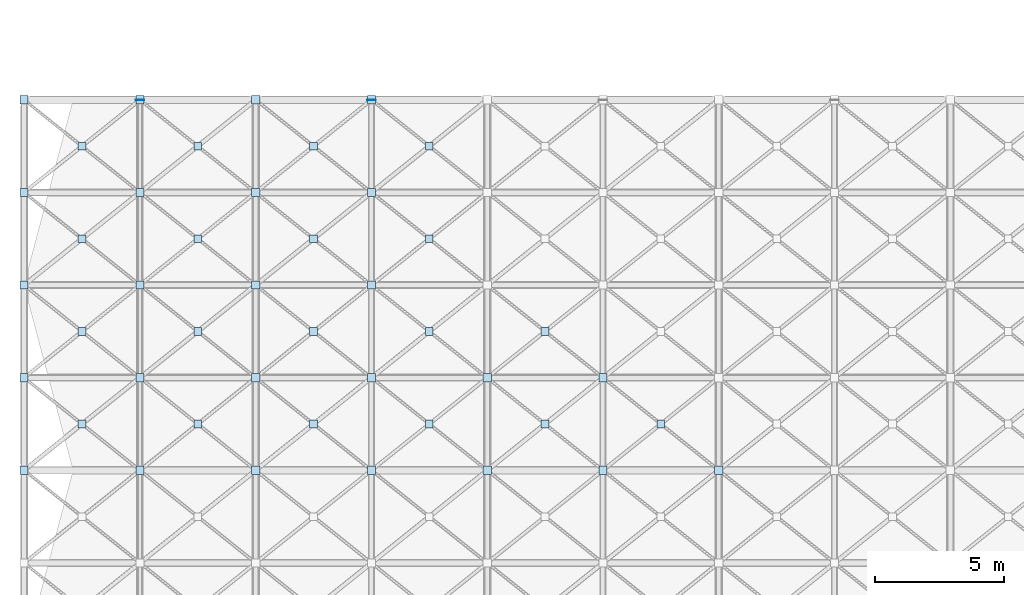
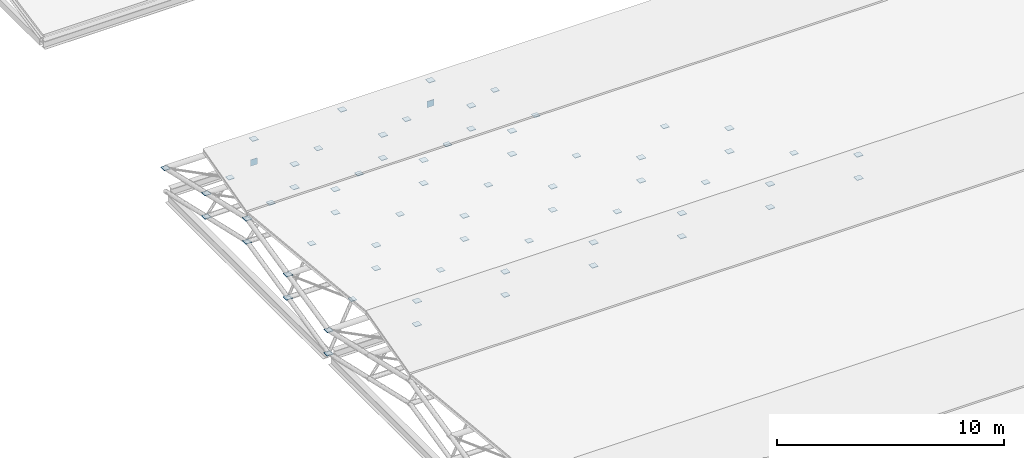
# One storey, part 82 of 110: 67 plates.
"""IFC4 building model written with IfcOpenShell, lengths in metres."""

from ifc_helpers import new_model, si_unit, direction, frame, origin, origin_2d, place, context, subcontext, project, spatial, rectangle, extrude, material, layer, layer_set, type_object, element, save


model = new_model("IFC4")

# Units and contexts
model_context = context("Model", 3, precision=1e-05, world=origin(), true_north=direction((0.0, 1.0)))
body_context = subcontext(model_context, "Body", "Model", "MODEL_VIEW")
ifc_project = project(units=[si_unit("LENGTHUNIT", "METRE"), si_unit("AREAUNIT", "SQUARE_METRE"), si_unit("VOLUMEUNIT", "CUBIC_METRE"), si_unit("PLANEANGLEUNIT", "RADIAN"), si_unit("MASSUNIT", "GRAM", prefix="KILO")], contexts=[model_context])

# Site, building, storey
site_placement = place(None, origin())
site = spatial("IfcSite", under=ifc_project, at=site_placement, CompositionType="ELEMENT")
building_placement = place(site_placement, origin())
building = spatial("IfcBuilding", under=site, at=building_placement, Name="Tamarisk Ironworks Central Station", CompositionType="ELEMENT")
storey_placement = place(building_placement, frame((0.0, 0.0, 17.39990234375)))
storey = spatial("IfcBuildingStorey", under=building, at=storey_placement, Name="L03", CompositionType="ELEMENT", Elevation=17.39990234375)

# Plates
ifc_material_1 = material(Name="Painted structural steel S355J2", Category="steel")
ifc_layer_1 = layer(ifc_material_1, 0.01611328125)
ifc_layer_set_1 = layer_set([ifc_layer_1], Name="Painted structural steel S355J2")
plate_type_1 = type_object("IfcPlateType", Name="PL-EC16", PredefinedType="SHEET", material=ifc_layer_set_1)
for number, where, z_axis, x_axis, name in (
    (1, (4.5, 79.199951171875, -1.89013671875), (0.0, 0.0, 1.0), (1.0, 0.0, 0.0), "Hollow section welded end-cap plate 34"),
    (2, (13.5, 79.199951171875, -1.89013671875), (0.0, 0.0, 1.0), (1.0, 0.0, 0.0), "Hollow section welded end-cap plate 35"),
):
    element("IfcPlate", number, at=place(storey_placement, frame(where, z_axis=z_axis, x_axis=x_axis)), inside=storey, type_object=plate_type_1, Name=name, PredefinedType="SHEET", context=body_context, shape_type="SweptSolid", body=[
        extrude(rectangle(XDim=0.340087890625, YDim=0.02392578125, at=origin_2d()), origin(), (0.0, 0.0, 1.0), 0.340087890625),
    ])
ifc_material_2 = material(Name="Structural steel S355J2H", Category="steel")
ifc_layer_2 = layer(ifc_material_2, 0.02587890625)
ifc_layer_set_2 = layer_set([ifc_layer_2], Name="Structural steel S355J2H")
plate_type_2 = type_object("IfcPlateType", Name="PL-ND26", PredefinedType="SHEET", material=ifc_layer_set_2)
for number, where, z_axis, x_axis, name in (
    (3, (0.0, 64.800048828125, -0.48291015625), (0.0, 0.0, 1.0), (1.0, 0.0, 0.0), "Space-frame collector node plate 0270"),
    (4, (4.5, 64.800048828125, -0.48291015625), (0.0, 0.0, 1.0), (1.0, 0.0, 0.0), "Space-frame collector node plate 0271"),
    (5, (9.0, 64.800048828125, -0.48291015625), (0.0, 0.0, 1.0), (1.0, 0.0, 0.0), "Space-frame collector node plate 0283"),
    (6, (13.5, 64.800048828125, -0.48291015625), (0.0, 0.0, 1.0), (1.0, 0.0, 0.0), "Space-frame collector node plate 0295"),
    (7, (18.0, 64.800048828125, -0.48291015625), (0.0, 0.0, 1.0), (1.0, 0.0, 0.0), "Space-frame collector node plate 0307"),
    (8, (22.5, 64.800048828125, -0.48291015625), (0.0, 0.0, 1.0), (1.0, 0.0, 0.0), "Space-frame collector node plate 0319"),
    (9, (27.0, 64.800048828125, -0.48291015625), (0.0, 0.0, 1.0), (1.0, 0.0, 0.0), "Space-frame collector node plate 0331"),
):
    element("IfcPlate", number, at=place(storey_placement, frame(where, z_axis=z_axis, x_axis=x_axis)), inside=storey, type_object=plate_type_2, Name=name, PredefinedType="SHEET", context=body_context, shape_type="SweptSolid", body=[
        extrude(rectangle(XDim=0.320068359375, YDim=0.320068359375, at=origin_2d()), origin(), (0.0, 0.0, 1.0), 0.02587890625),
    ])
plate_1_placement = place(storey_placement, frame((2.25, 66.60009765625, -0.6953125), z_axis=(0.0, 0.0, 1.0), x_axis=(1.0, 0.0, 0.0)))
element("IfcPlate", 10, at=plate_1_placement, inside=storey, type_object=plate_type_2, Name="Space-frame X-brace crossing gusset plate 0380", PredefinedType="SHEET", context=body_context, shape_type="SweptSolid", body=[
    extrude(rectangle(XDim=0.300048828125, YDim=0.300048828125, at=origin_2d()), origin(), (0.0, 0.0, 1.0), 0.02587890625),
])
for number, where, z_axis, x_axis, name in (
    (11, (0.0, 64.800048828125, -1.73291015625), (0.0, 0.0, 1.0), (1.0, 0.0, 0.0), "Space-frame collector node plate 0381"),
    (12, (4.5, 64.800048828125, -1.73291015625), (0.0, 0.0, 1.0), (1.0, 0.0, 0.0), "Space-frame collector node plate 0382"),
    (13, (0.0, 68.39990234375, 0.342041015625), (0.0, 0.0, 1.0), (1.0, 0.0, 0.0), "Space-frame collector node plate 0383"),
    (14, (4.5, 68.39990234375, 0.342041015625), (0.0, 0.0, 1.0), (1.0, 0.0, 0.0), "Space-frame collector node plate 0384"),
):
    element("IfcPlate", number, at=place(storey_placement, frame(where, z_axis=z_axis, x_axis=x_axis)), inside=storey, type_object=plate_type_2, Name=name, PredefinedType="SHEET", context=body_context, shape_type="SweptSolid", body=[
        extrude(rectangle(XDim=0.320068359375, YDim=0.320068359375, at=origin_2d()), origin(), (0.0, 0.0, 1.0), 0.02587890625),
    ])
plate_2_placement = place(storey_placement, frame((2.25, 70.199951171875, 0.129638671875), z_axis=(0.0, 0.0, 1.0), x_axis=(1.0, 0.0, 0.0)))
element("IfcPlate", 15, at=plate_2_placement, inside=storey, type_object=plate_type_2, Name="Space-frame X-brace crossing gusset plate 0385", PredefinedType="SHEET", context=body_context, shape_type="SweptSolid", body=[
    extrude(rectangle(XDim=0.300048828125, YDim=0.300048828125, at=origin_2d()), origin(), (0.0, 0.0, 1.0), 0.02587890625),
])
for number, where, z_axis, x_axis, name in (
    (16, (0.0, 68.39990234375, -0.907958984375), (0.0, 0.0, 1.0), (1.0, 0.0, 0.0), "Space-frame collector node plate 0386"),
    (17, (4.5, 68.39990234375, -0.907958984375), (0.0, 0.0, 1.0), (1.0, 0.0, 0.0), "Space-frame collector node plate 0387"),
    (18, (0.0, 72.0, 1.167236328125), (0.0, 0.0, 1.0), (1.0, 0.0, 0.0), "Space-frame collector node plate 0388"),
    (19, (4.5, 72.0, 1.167236328125), (0.0, 0.0, 1.0), (1.0, 0.0, 0.0), "Space-frame collector node plate 0389"),
):
    element("IfcPlate", number, at=place(storey_placement, frame(where, z_axis=z_axis, x_axis=x_axis)), inside=storey, type_object=plate_type_2, Name=name, PredefinedType="SHEET", context=body_context, shape_type="SweptSolid", body=[
        extrude(rectangle(XDim=0.320068359375, YDim=0.320068359375, at=origin_2d()), origin(), (0.0, 0.0, 1.0), 0.02587890625),
    ])
plate_3_placement = place(storey_placement, frame((2.25, 73.800048828125, 0.129638671875), z_axis=(0.0, 0.0, 1.0), x_axis=(1.0, 0.0, 0.0)))
element("IfcPlate", 20, at=plate_3_placement, inside=storey, type_object=plate_type_2, Name="Space-frame X-brace crossing gusset plate 0390", PredefinedType="SHEET", context=body_context, shape_type="SweptSolid", body=[
    extrude(rectangle(XDim=0.300048828125, YDim=0.300048828125, at=origin_2d()), origin(), (0.0, 0.0, 1.0), 0.02587890625),
])
for number, where, z_axis, x_axis, name in (
    (21, (0.0, 72.0, -0.082763671875), (0.0, 0.0, 1.0), (1.0, 0.0, 0.0), "Space-frame collector node plate 0391"),
    (22, (4.5, 72.0, -0.082763671875), (0.0, 0.0, 1.0), (1.0, 0.0, 0.0), "Space-frame collector node plate 0392"),
    (23, (0.0, 75.60009765625, 0.342041015625), (0.0, 0.0, 1.0), (1.0, 0.0, 0.0), "Space-frame collector node plate 0393"),
    (24, (4.5, 75.60009765625, 0.342041015625), (0.0, 0.0, 1.0), (1.0, 0.0, 0.0), "Space-frame collector node plate 0394"),
):
    element("IfcPlate", number, at=place(storey_placement, frame(where, z_axis=z_axis, x_axis=x_axis)), inside=storey, type_object=plate_type_2, Name=name, PredefinedType="SHEET", context=body_context, shape_type="SweptSolid", body=[
        extrude(rectangle(XDim=0.320068359375, YDim=0.320068359375, at=origin_2d()), origin(), (0.0, 0.0, 1.0), 0.02587890625),
    ])
plate_4_placement = place(storey_placement, frame((2.25, 77.39990234375, -0.6953125), z_axis=(0.0, 0.0, 1.0), x_axis=(1.0, 0.0, 0.0)))
element("IfcPlate", 25, at=plate_4_placement, inside=storey, type_object=plate_type_2, Name="Space-frame X-brace crossing gusset plate 0395", PredefinedType="SHEET", context=body_context, shape_type="SweptSolid", body=[
    extrude(rectangle(XDim=0.300048828125, YDim=0.300048828125, at=origin_2d()), origin(), (0.0, 0.0, 1.0), 0.02587890625),
])
for number, where, z_axis, x_axis, name in (
    (26, (0.0, 75.60009765625, -0.907958984375), (0.0, 0.0, 1.0), (1.0, 0.0, 0.0), "Space-frame collector node plate 0396"),
    (27, (4.5, 75.60009765625, -0.907958984375), (0.0, 0.0, 1.0), (1.0, 0.0, 0.0), "Space-frame collector node plate 0397"),
    (28, (0.0, 79.199951171875, -0.48291015625), (0.0, 0.0, 1.0), (1.0, 0.0, 0.0), "Space-frame collector node plate 0398"),
    (29, (4.5, 79.199951171875, -0.48291015625), (0.0, 0.0, 1.0), (1.0, 0.0, 0.0), "Space-frame collector node plate 0399"),
):
    element("IfcPlate", number, at=place(storey_placement, frame(where, z_axis=z_axis, x_axis=x_axis)), inside=storey, type_object=plate_type_2, Name=name, PredefinedType="SHEET", context=body_context, shape_type="SweptSolid", body=[
        extrude(rectangle(XDim=0.320068359375, YDim=0.320068359375, at=origin_2d()), origin(), (0.0, 0.0, 1.0), 0.02587890625),
    ])
plate_5_placement = place(storey_placement, frame((6.75, 66.60009765625, -0.6953125), z_axis=(0.0, 0.0, 1.0), x_axis=(1.0, 0.0, 0.0)))
element("IfcPlate", 30, at=plate_5_placement, inside=storey, type_object=plate_type_2, Name="Space-frame X-brace crossing gusset plate 0400", PredefinedType="SHEET", context=body_context, shape_type="SweptSolid", body=[
    extrude(rectangle(XDim=0.300048828125, YDim=0.300048828125, at=origin_2d()), origin(), (0.0, 0.0, 1.0), 0.02587890625),
])
for number, where, z_axis, x_axis, name in (
    (31, (9.0, 64.800048828125, -1.73291015625), (0.0, 0.0, 1.0), (1.0, 0.0, 0.0), "Space-frame collector node plate 0401"),
    (32, (9.0, 68.39990234375, 0.342041015625), (0.0, 0.0, 1.0), (1.0, 0.0, 0.0), "Space-frame collector node plate 0402"),
):
    element("IfcPlate", number, at=place(storey_placement, frame(where, z_axis=z_axis, x_axis=x_axis)), inside=storey, type_object=plate_type_2, Name=name, PredefinedType="SHEET", context=body_context, shape_type="SweptSolid", body=[
        extrude(rectangle(XDim=0.320068359375, YDim=0.320068359375, at=origin_2d()), origin(), (0.0, 0.0, 1.0), 0.02587890625),
    ])
plate_6_placement = place(storey_placement, frame((6.75, 70.199951171875, 0.129638671875), z_axis=(0.0, 0.0, 1.0), x_axis=(1.0, 0.0, 0.0)))
element("IfcPlate", 33, at=plate_6_placement, inside=storey, type_object=plate_type_2, Name="Space-frame X-brace crossing gusset plate 0403", PredefinedType="SHEET", context=body_context, shape_type="SweptSolid", body=[
    extrude(rectangle(XDim=0.300048828125, YDim=0.300048828125, at=origin_2d()), origin(), (0.0, 0.0, 1.0), 0.02587890625),
])
for number, where, z_axis, x_axis, name in (
    (34, (9.0, 68.39990234375, -0.907958984375), (0.0, 0.0, 1.0), (1.0, 0.0, 0.0), "Space-frame collector node plate 0404"),
    (35, (9.0, 72.0, 1.167236328125), (0.0, 0.0, 1.0), (1.0, 0.0, 0.0), "Space-frame collector node plate 0405"),
):
    element("IfcPlate", number, at=place(storey_placement, frame(where, z_axis=z_axis, x_axis=x_axis)), inside=storey, type_object=plate_type_2, Name=name, PredefinedType="SHEET", context=body_context, shape_type="SweptSolid", body=[
        extrude(rectangle(XDim=0.320068359375, YDim=0.320068359375, at=origin_2d()), origin(), (0.0, 0.0, 1.0), 0.02587890625),
    ])
plate_7_placement = place(storey_placement, frame((6.75, 73.800048828125, 0.129638671875), z_axis=(0.0, 0.0, 1.0), x_axis=(1.0, 0.0, 0.0)))
element("IfcPlate", 36, at=plate_7_placement, inside=storey, type_object=plate_type_2, Name="Space-frame X-brace crossing gusset plate 0406", PredefinedType="SHEET", context=body_context, shape_type="SweptSolid", body=[
    extrude(rectangle(XDim=0.300048828125, YDim=0.300048828125, at=origin_2d()), origin(), (0.0, 0.0, 1.0), 0.02587890625),
])
for number, where, z_axis, x_axis, name in (
    (37, (9.0, 72.0, -0.082763671875), (0.0, 0.0, 1.0), (1.0, 0.0, 0.0), "Space-frame collector node plate 0407"),
    (38, (9.0, 75.60009765625, 0.342041015625), (0.0, 0.0, 1.0), (1.0, 0.0, 0.0), "Space-frame collector node plate 0408"),
):
    element("IfcPlate", number, at=place(storey_placement, frame(where, z_axis=z_axis, x_axis=x_axis)), inside=storey, type_object=plate_type_2, Name=name, PredefinedType="SHEET", context=body_context, shape_type="SweptSolid", body=[
        extrude(rectangle(XDim=0.320068359375, YDim=0.320068359375, at=origin_2d()), origin(), (0.0, 0.0, 1.0), 0.02587890625),
    ])
plate_8_placement = place(storey_placement, frame((6.75, 77.39990234375, -0.6953125), z_axis=(0.0, 0.0, 1.0), x_axis=(1.0, 0.0, 0.0)))
element("IfcPlate", 39, at=plate_8_placement, inside=storey, type_object=plate_type_2, Name="Space-frame X-brace crossing gusset plate 0409", PredefinedType="SHEET", context=body_context, shape_type="SweptSolid", body=[
    extrude(rectangle(XDim=0.300048828125, YDim=0.300048828125, at=origin_2d()), origin(), (0.0, 0.0, 1.0), 0.02587890625),
])
for number, where, z_axis, x_axis, name in (
    (40, (9.0, 75.60009765625, -0.907958984375), (0.0, 0.0, 1.0), (1.0, 0.0, 0.0), "Space-frame collector node plate 0410"),
    (41, (9.0, 79.199951171875, -0.48291015625), (0.0, 0.0, 1.0), (1.0, 0.0, 0.0), "Space-frame collector node plate 0411"),
):
    element("IfcPlate", number, at=place(storey_placement, frame(where, z_axis=z_axis, x_axis=x_axis)), inside=storey, type_object=plate_type_2, Name=name, PredefinedType="SHEET", context=body_context, shape_type="SweptSolid", body=[
        extrude(rectangle(XDim=0.320068359375, YDim=0.320068359375, at=origin_2d()), origin(), (0.0, 0.0, 1.0), 0.02587890625),
    ])
plate_9_placement = place(storey_placement, frame((11.25, 66.60009765625, -0.6953125), z_axis=(0.0, 0.0, 1.0), x_axis=(1.0, 0.0, 0.0)))
element("IfcPlate", 42, at=plate_9_placement, inside=storey, type_object=plate_type_2, Name="Space-frame X-brace crossing gusset plate 0412", PredefinedType="SHEET", context=body_context, shape_type="SweptSolid", body=[
    extrude(rectangle(XDim=0.300048828125, YDim=0.300048828125, at=origin_2d()), origin(), (0.0, 0.0, 1.0), 0.02587890625),
])
for number, where, z_axis, x_axis, name in (
    (43, (13.5, 64.800048828125, -1.73291015625), (0.0, 0.0, 1.0), (1.0, 0.0, 0.0), "Space-frame collector node plate 0413"),
    (44, (13.5, 68.39990234375, 0.342041015625), (0.0, 0.0, 1.0), (1.0, 0.0, 0.0), "Space-frame collector node plate 0414"),
):
    element("IfcPlate", number, at=place(storey_placement, frame(where, z_axis=z_axis, x_axis=x_axis)), inside=storey, type_object=plate_type_2, Name=name, PredefinedType="SHEET", context=body_context, shape_type="SweptSolid", body=[
        extrude(rectangle(XDim=0.320068359375, YDim=0.320068359375, at=origin_2d()), origin(), (0.0, 0.0, 1.0), 0.02587890625),
    ])
plate_10_placement = place(storey_placement, frame((11.25, 70.199951171875, 0.129638671875), z_axis=(0.0, 0.0, 1.0), x_axis=(1.0, 0.0, 0.0)))
element("IfcPlate", 45, at=plate_10_placement, inside=storey, type_object=plate_type_2, Name="Space-frame X-brace crossing gusset plate 0415", PredefinedType="SHEET", context=body_context, shape_type="SweptSolid", body=[
    extrude(rectangle(XDim=0.300048828125, YDim=0.300048828125, at=origin_2d()), origin(), (0.0, 0.0, 1.0), 0.02587890625),
])
for number, where, z_axis, x_axis, name in (
    (46, (13.5, 68.39990234375, -0.907958984375), (0.0, 0.0, 1.0), (1.0, 0.0, 0.0), "Space-frame collector node plate 0416"),
    (47, (13.5, 72.0, 1.167236328125), (0.0, 0.0, 1.0), (1.0, 0.0, 0.0), "Space-frame collector node plate 0417"),
):
    element("IfcPlate", number, at=place(storey_placement, frame(where, z_axis=z_axis, x_axis=x_axis)), inside=storey, type_object=plate_type_2, Name=name, PredefinedType="SHEET", context=body_context, shape_type="SweptSolid", body=[
        extrude(rectangle(XDim=0.320068359375, YDim=0.320068359375, at=origin_2d()), origin(), (0.0, 0.0, 1.0), 0.02587890625),
    ])
plate_11_placement = place(storey_placement, frame((11.25, 73.800048828125, 0.129638671875), z_axis=(0.0, 0.0, 1.0), x_axis=(1.0, 0.0, 0.0)))
element("IfcPlate", 48, at=plate_11_placement, inside=storey, type_object=plate_type_2, Name="Space-frame X-brace crossing gusset plate 0418", PredefinedType="SHEET", context=body_context, shape_type="SweptSolid", body=[
    extrude(rectangle(XDim=0.300048828125, YDim=0.300048828125, at=origin_2d()), origin(), (0.0, 0.0, 1.0), 0.02587890625),
])
for number, where, z_axis, x_axis, name in (
    (49, (13.5, 72.0, -0.082763671875), (0.0, 0.0, 1.0), (1.0, 0.0, 0.0), "Space-frame collector node plate 0419"),
    (50, (13.5, 75.60009765625, 0.342041015625), (0.0, 0.0, 1.0), (1.0, 0.0, 0.0), "Space-frame collector node plate 0420"),
):
    element("IfcPlate", number, at=place(storey_placement, frame(where, z_axis=z_axis, x_axis=x_axis)), inside=storey, type_object=plate_type_2, Name=name, PredefinedType="SHEET", context=body_context, shape_type="SweptSolid", body=[
        extrude(rectangle(XDim=0.320068359375, YDim=0.320068359375, at=origin_2d()), origin(), (0.0, 0.0, 1.0), 0.02587890625),
    ])
plate_12_placement = place(storey_placement, frame((11.25, 77.39990234375, -0.6953125), z_axis=(0.0, 0.0, 1.0), x_axis=(1.0, 0.0, 0.0)))
element("IfcPlate", 51, at=plate_12_placement, inside=storey, type_object=plate_type_2, Name="Space-frame X-brace crossing gusset plate 0421", PredefinedType="SHEET", context=body_context, shape_type="SweptSolid", body=[
    extrude(rectangle(XDim=0.300048828125, YDim=0.300048828125, at=origin_2d()), origin(), (0.0, 0.0, 1.0), 0.02587890625),
])
for number, where, z_axis, x_axis, name in (
    (52, (13.5, 75.60009765625, -0.907958984375), (0.0, 0.0, 1.0), (1.0, 0.0, 0.0), "Space-frame collector node plate 0422"),
    (53, (13.5, 79.199951171875, -0.48291015625), (0.0, 0.0, 1.0), (1.0, 0.0, 0.0), "Space-frame collector node plate 0423"),
):
    element("IfcPlate", number, at=place(storey_placement, frame(where, z_axis=z_axis, x_axis=x_axis)), inside=storey, type_object=plate_type_2, Name=name, PredefinedType="SHEET", context=body_context, shape_type="SweptSolid", body=[
        extrude(rectangle(XDim=0.320068359375, YDim=0.320068359375, at=origin_2d()), origin(), (0.0, 0.0, 1.0), 0.02587890625),
    ])
plate_13_placement = place(storey_placement, frame((15.75, 66.60009765625, -0.6953125), z_axis=(0.0, 0.0, 1.0), x_axis=(1.0, 0.0, 0.0)))
element("IfcPlate", 54, at=plate_13_placement, inside=storey, type_object=plate_type_2, Name="Space-frame X-brace crossing gusset plate 0424", PredefinedType="SHEET", context=body_context, shape_type="SweptSolid", body=[
    extrude(rectangle(XDim=0.300048828125, YDim=0.300048828125, at=origin_2d()), origin(), (0.0, 0.0, 1.0), 0.02587890625),
])
for number, where, z_axis, x_axis, name in (
    (55, (18.0, 64.800048828125, -1.73291015625), (0.0, 0.0, 1.0), (1.0, 0.0, 0.0), "Space-frame collector node plate 0425"),
    (56, (18.0, 68.39990234375, 0.342041015625), (0.0, 0.0, 1.0), (1.0, 0.0, 0.0), "Space-frame collector node plate 0426"),
):
    element("IfcPlate", number, at=place(storey_placement, frame(where, z_axis=z_axis, x_axis=x_axis)), inside=storey, type_object=plate_type_2, Name=name, PredefinedType="SHEET", context=body_context, shape_type="SweptSolid", body=[
        extrude(rectangle(XDim=0.320068359375, YDim=0.320068359375, at=origin_2d()), origin(), (0.0, 0.0, 1.0), 0.02587890625),
    ])
plate_14_placement = place(storey_placement, frame((15.75, 70.199951171875, 0.129638671875), z_axis=(0.0, 0.0, 1.0), x_axis=(1.0, 0.0, 0.0)))
element("IfcPlate", 57, at=plate_14_placement, inside=storey, type_object=plate_type_2, Name="Space-frame X-brace crossing gusset plate 0427", PredefinedType="SHEET", context=body_context, shape_type="SweptSolid", body=[
    extrude(rectangle(XDim=0.300048828125, YDim=0.300048828125, at=origin_2d()), origin(), (0.0, 0.0, 1.0), 0.02587890625),
])
plate_15_placement = place(storey_placement, frame((18.0, 68.39990234375, -0.907958984375), z_axis=(0.0, 0.0, 1.0), x_axis=(1.0, 0.0, 0.0)))
element("IfcPlate", 58, at=plate_15_placement, inside=storey, type_object=plate_type_2, Name="Space-frame collector node plate 0428", PredefinedType="SHEET", context=body_context, shape_type="SweptSolid", body=[
    extrude(rectangle(XDim=0.320068359375, YDim=0.320068359375, at=origin_2d()), origin(), (0.0, 0.0, 1.0), 0.02587890625),
])
for number, where, z_axis, x_axis, name in (
    (59, (15.75, 73.800048828125, 0.129638671875), (0.0, 0.0, 1.0), (1.0, 0.0, 0.0), "Space-frame X-brace crossing gusset plate 0430"),
    (60, (15.75, 77.39990234375, -0.6953125), (0.0, 0.0, 1.0), (1.0, 0.0, 0.0), "Space-frame X-brace crossing gusset plate 0433"),
    (61, (20.25, 66.60009765625, -0.6953125), (0.0, 0.0, 1.0), (1.0, 0.0, 0.0), "Space-frame X-brace crossing gusset plate 0436"),
):
    element("IfcPlate", number, at=place(storey_placement, frame(where, z_axis=z_axis, x_axis=x_axis)), inside=storey, type_object=plate_type_2, Name=name, PredefinedType="SHEET", context=body_context, shape_type="SweptSolid", body=[
        extrude(rectangle(XDim=0.300048828125, YDim=0.300048828125, at=origin_2d()), origin(), (0.0, 0.0, 1.0), 0.02587890625),
    ])
for number, where, z_axis, x_axis, name in (
    (62, (22.5, 64.800048828125, -1.73291015625), (0.0, 0.0, 1.0), (1.0, 0.0, 0.0), "Space-frame collector node plate 0437"),
    (63, (22.5, 68.39990234375, 0.342041015625), (0.0, 0.0, 1.0), (1.0, 0.0, 0.0), "Space-frame collector node plate 0438"),
):
    element("IfcPlate", number, at=place(storey_placement, frame(where, z_axis=z_axis, x_axis=x_axis)), inside=storey, type_object=plate_type_2, Name=name, PredefinedType="SHEET", context=body_context, shape_type="SweptSolid", body=[
        extrude(rectangle(XDim=0.320068359375, YDim=0.320068359375, at=origin_2d()), origin(), (0.0, 0.0, 1.0), 0.02587890625),
    ])
plate_16_placement = place(storey_placement, frame((20.25, 70.199951171875, 0.129638671875), z_axis=(0.0, 0.0, 1.0), x_axis=(1.0, 0.0, 0.0)))
element("IfcPlate", 64, at=plate_16_placement, inside=storey, type_object=plate_type_2, Name="Space-frame X-brace crossing gusset plate 0439", PredefinedType="SHEET", context=body_context, shape_type="SweptSolid", body=[
    extrude(rectangle(XDim=0.300048828125, YDim=0.300048828125, at=origin_2d()), origin(), (0.0, 0.0, 1.0), 0.02587890625),
])
plate_17_placement = place(storey_placement, frame((22.5, 68.39990234375, -0.907958984375), z_axis=(0.0, 0.0, 1.0), x_axis=(1.0, 0.0, 0.0)))
element("IfcPlate", 65, at=plate_17_placement, inside=storey, type_object=plate_type_2, Name="Space-frame collector node plate 0440", PredefinedType="SHEET", context=body_context, shape_type="SweptSolid", body=[
    extrude(rectangle(XDim=0.320068359375, YDim=0.320068359375, at=origin_2d()), origin(), (0.0, 0.0, 1.0), 0.02587890625),
])
plate_18_placement = place(storey_placement, frame((24.75, 66.60009765625, -0.6953125), z_axis=(0.0, 0.0, 1.0), x_axis=(1.0, 0.0, 0.0)))
element("IfcPlate", 66, at=plate_18_placement, inside=storey, type_object=plate_type_2, Name="Space-frame X-brace crossing gusset plate 0448", PredefinedType="SHEET", context=body_context, shape_type="SweptSolid", body=[
    extrude(rectangle(XDim=0.300048828125, YDim=0.300048828125, at=origin_2d()), origin(), (0.0, 0.0, 1.0), 0.02587890625),
])
plate_19_placement = place(storey_placement, frame((27.0, 64.800048828125, -1.73291015625), z_axis=(0.0, 0.0, 1.0), x_axis=(1.0, 0.0, 0.0)))
element("IfcPlate", 67, at=plate_19_placement, inside=storey, type_object=plate_type_2, Name="Space-frame collector node plate 0449", PredefinedType="SHEET", context=body_context, shape_type="SweptSolid", body=[
    extrude(rectangle(XDim=0.320068359375, YDim=0.320068359375, at=origin_2d()), origin(), (0.0, 0.0, 1.0), 0.02587890625),
])

save(model, "model.ifc")
